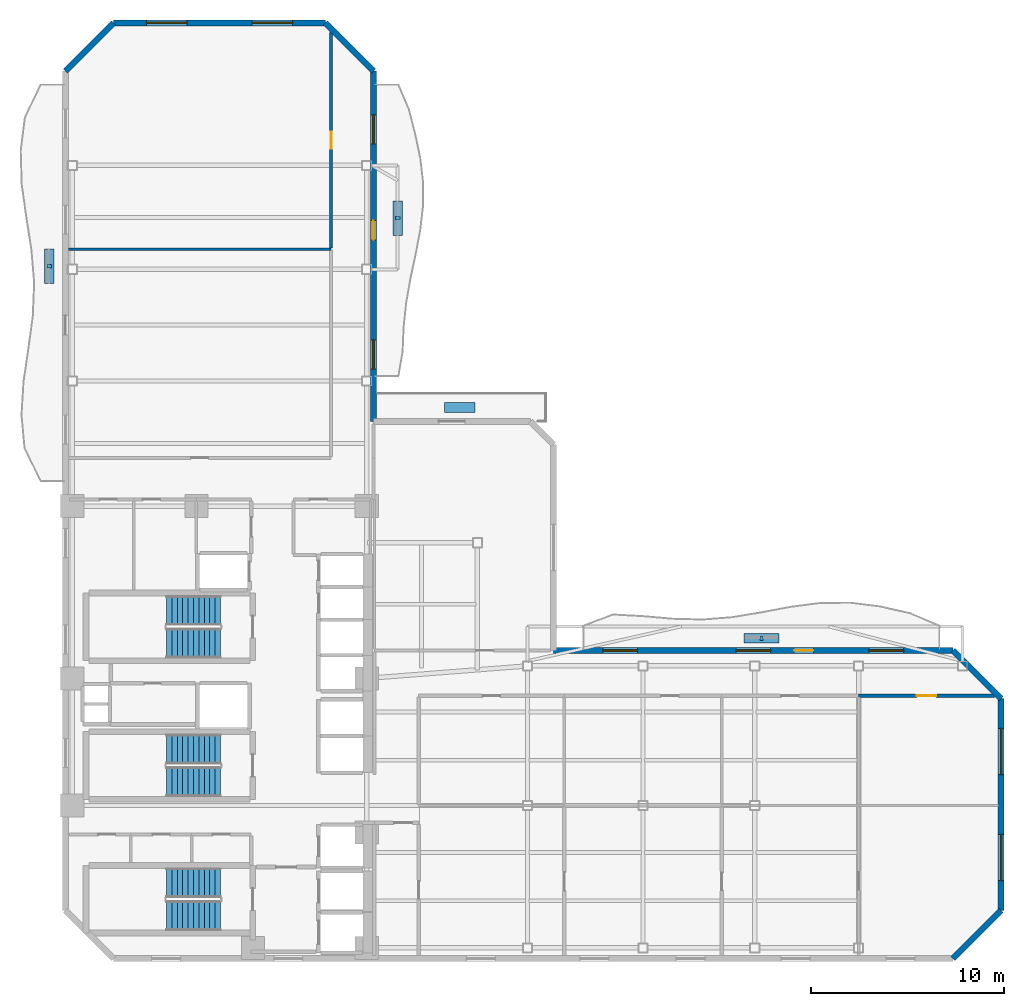
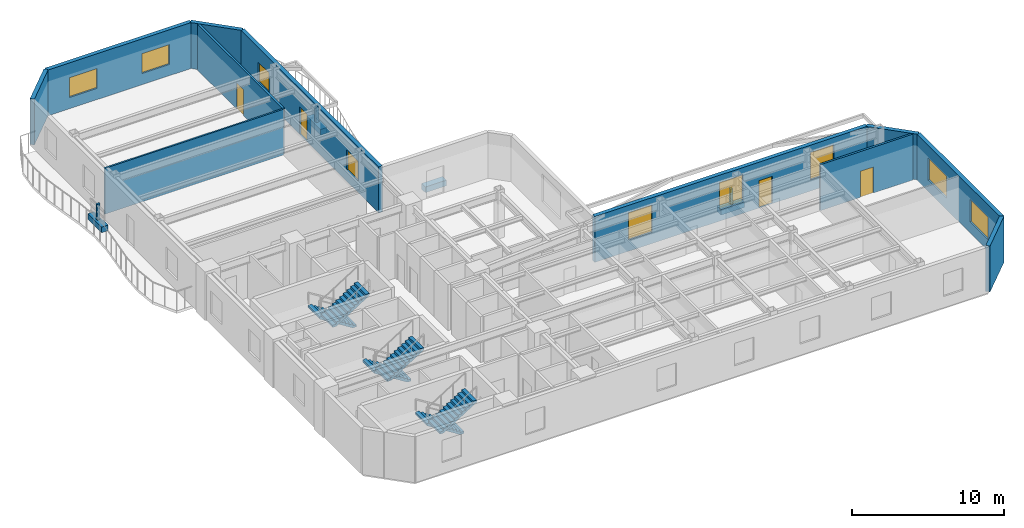
# One storey, part 6 of 10: 11 walls, 9 windows, 7 discrete accessories, 6 stair flights, 4 doors, 13 openings, 3 elements without a shape of their own.
"""IFC4 building model written with IfcOpenShell, lengths in metres."""

from ifc_helpers import new_model, si_unit, direction, frame, frame_2d, origin, origin_2d, place, context, subcontext, project, spatial, polyline, rectangle, outline, extrude, material, layer, layer_set, type_object, element, fill, aggregate, save


model = new_model("IFC4")

# Units and contexts
model_context = context("Model", 3, precision=1e-05, world=origin(), true_north=direction((0.0, 1.0)))
body_context = subcontext(model_context, "Body", "Model", "MODEL_VIEW")
ifc_project = project(units=[si_unit("LENGTHUNIT", "METRE"), si_unit("AREAUNIT", "SQUARE_METRE"), si_unit("VOLUMEUNIT", "CUBIC_METRE"), si_unit("PLANEANGLEUNIT", "RADIAN"), si_unit("MASSUNIT", "GRAM", prefix="KILO")], contexts=[model_context])

# Site, building, storey
site_placement = place(None, origin())
site = spatial("IfcSite", under=ifc_project, at=site_placement, CompositionType="ELEMENT")
building_placement = place(site_placement, origin())
building = spatial("IfcBuilding", under=site, at=building_placement, Name="Mawjaban Terraces University", CompositionType="ELEMENT")
storey_placement = place(building_placement, frame((0.0, 0.0, 122.89990234375)))
storey = spatial("IfcBuildingStorey", under=building, at=storey_placement, Name="L29", CompositionType="ELEMENT", Elevation=122.89990234375)

# Wall, opening, door
ifc_material_1 = material(Name="Fire-rated gypsum board on steel stud", Category="steel")
ifc_layer_1 = layer(ifc_material_1, 0.159912109375)
ifc_layer_set_1 = layer_set([ifc_layer_1], Name="Fire-rated gypsum board on steel stud")
wall_type_1 = type_object("IfcWallType", Name="CorridorPartition_160", PredefinedType="PARTITIONING", material=ifc_layer_set_1)
wall_1_placement = place(storey_placement, frame((63.199951171875, 13.64990234375, 0.0), z_axis=(0.0, 0.0, 1.0), x_axis=(1.0, 0.0, 0.0)))
wall_1 = element("IfcWall", 1, at=wall_1_placement, inside=storey, type_object=wall_type_1, Name="L29 Inner Terrace Gallery Corridor East Partition 24", PredefinedType="PARTITIONING", context=body_context, shape_type="SweptSolid", body=[
    extrude(rectangle(XDim=7.045166015625, YDim=0.159912109375, at=frame_2d((3.5224609375, 0.0))), origin(), (0.0, 0.0, 1.0), 3.690185546875),
])
opening_1_placement = place(wall_1_placement, frame((3.02294921875, 0.0, 0.0)))
opening_1 = element("IfcOpeningElement", 2, at=opening_1_placement, cuts=wall_1, Name="Opening ID-100", PredefinedType="OPENING", context=body_context, shape_type="SweptSolid", body=[
    extrude(rectangle(XDim=1.0, YDim=2.10009765625, at=frame_2d((0.5, 1.050048828125))), frame((0.0, 0.08984375, 0.0), z_axis=(0.0, -1.0, 0.0), x_axis=(1.0, 0.0, 0.0)), (0.0, 0.0, 1.0), 0.179931640625),
])
ifc_material_2 = material(Name="Powder-coated steel frame and solid acoustic timber leaf", Category="steel")
door_type_1 = type_object("IfcDoorType", Name="ClassroomDoor_1000x2100", OperationType="NOTDEFINED", PredefinedType="DOOR", material=ifc_material_2)
door_1_placement = place(opening_1_placement, origin())
door_1 = element("IfcDoor", 3, at=door_1_placement, inside=storey, type_object=door_type_1, Name="L29 Classroom 9 Door", OperationType="SINGLE_SWING_LEFT", OverallHeight=2.10009765625, OverallWidth=1.0, PredefinedType="DOOR", context=body_context, shape_type="SweptSolid", body=[
    extrude(rectangle(XDim=1.0, YDim=2.10009765625, at=frame_2d((0.5, 1.050048828125))), frame((0.0, 0.02490234375, 0.0), z_axis=(0.0, -1.0, 0.0), x_axis=(1.0, 0.0, 0.0)), (0.0, 0.0, 1.0), 0.050048828125),
])
fill(opening_1, door_1)

wall_2_placement = place(storey_placement, frame((35.800048828125, 48.094970703125, 0.0), z_axis=(0.0, 0.0, 1.0), x_axis=(0.0, -1.0, 0.0)))
wall_2 = element("IfcWall", 4, at=wall_2_placement, inside=storey, type_object=wall_type_1, Name="L29 Inner Terrace Gallery Corridor North Partition 35", PredefinedType="PARTITIONING", context=body_context, shape_type="SweptSolid", body=[
    extrude(rectangle(XDim=11.18798828125, YDim=0.159912109375, at=frame_2d((5.593994140625, 0.0))), origin(), (0.0, 0.0, 1.0), 3.690185546875),
])
opening_2_placement = place(wall_2_placement, frame((5.14404296875, 0.0, 0.0)))
opening_2 = element("IfcOpeningElement", 5, at=opening_2_placement, cuts=wall_2, Name="Opening ID-090", PredefinedType="OPENING", context=body_context, shape_type="SweptSolid", body=[
    extrude(rectangle(XDim=0.89990234375, YDim=2.10009765625, at=frame_2d((0.449951171875, 1.050048828125))), frame((0.0, 0.08984375, 0.0), z_axis=(0.0, -1.0, 0.0), x_axis=(1.0, 0.0, 0.0)), (0.0, 0.0, 1.0), 0.179931640625),
])
door_type_2 = type_object("IfcDoorType", Name="OfficeDoor_900x2100", OperationType="NOTDEFINED", PredefinedType="DOOR", material=ifc_material_2)
door_2_placement = place(opening_2_placement, origin())
door_2 = element("IfcDoor", 6, at=door_2_placement, inside=storey, type_object=door_type_2, Name="L29 Faculty Office 11 Door", OperationType="SINGLE_SWING_LEFT", OverallHeight=2.10009765625, OverallWidth=0.89990234375, PredefinedType="DOOR", context=body_context, shape_type="SweptSolid", body=[
    extrude(rectangle(XDim=0.89990234375, YDim=2.10009765625, at=frame_2d((0.449951171875, 1.050048828125))), frame((0.0, 0.02490234375, 0.0), z_axis=(0.0, -1.0, 0.0), x_axis=(1.0, 0.0, 0.0)), (0.0, 0.0, 1.0), 0.050048828125),
])
fill(opening_2, door_2)

# Wall
ifc_material_3 = material(Name="Insulated terracotta rainscreen on concrete backup C40/50", Category="masonry")
ifc_layer_2 = layer(ifc_material_3, 0.300048828125)
ifc_layer_set_2 = layer_set([ifc_layer_2], Name="Insulated terracotta rainscreen on concrete backup C40/50")
wall_type_2 = type_object("IfcWallType", Name="ExtTerracottaWall_300", PredefinedType="SOLIDWALL", material=ifc_layer_set_2)
wall_3_placement = place(storey_placement, frame((68.10009765625, 0.0, 0.0), z_axis=(0.0, 0.0, 1.0), x_axis=(0.707106781187, 0.707106781187, 0.0)))
element("IfcWall", 7, at=wall_3_placement, inside=storey, type_object=wall_type_2, Name="L29 Exterior Terracotta Wall 2", PredefinedType="SOLIDWALL", context=body_context, shape_type="SweptSolid", body=[
    extrude(rectangle(XDim=3.53564453125, YDim=0.300048828125, at=frame_2d((1.767822265625, 0.0))), origin(), (0.0, 0.0, 1.0), 3.690185546875),
])

# Wall, openings, windows
wall_4_placement = place(storey_placement, frame((70.60009765625, 2.5, 0.0), z_axis=(0.0, 0.0, 1.0), x_axis=(0.0, 1.0, 0.0)))
wall_4 = element("IfcWall", 8, at=wall_4_placement, inside=storey, type_object=wall_type_2, Name="L29 Exterior Terracotta Wall 3", PredefinedType="SOLIDWALL", context=body_context, shape_type="SweptSolid", body=[
    extrude(rectangle(XDim=11.0, YDim=0.300048828125, at=frame_2d((5.5, 0.0))), origin(), (0.0, 0.0, 1.0), 3.690185546875),
])
opening_3_placement = place(wall_4_placement, frame((1.550048828125, 0.0, 0.89990234375)))
opening_3 = element("IfcOpeningElement", 9, at=opening_3_placement, cuts=wall_4, Name="Opening W-08", PredefinedType="OPENING", context=body_context, shape_type="SweptSolid", body=[
    extrude(rectangle(XDim=2.39990234375, YDim=1.800048828125, at=frame_2d((1.199951171875, 0.89990234375))), frame((0.0, 0.159912109375, 0.0), z_axis=(0.0, -1.0, 0.0), x_axis=(1.0, 0.0, 0.0)), (0.0, 0.0, 1.0), 0.320068359375),
])
opening_4_placement = place(wall_4_placement, frame((7.050048828125, 0.0, 0.89990234375)))
opening_4 = element("IfcOpeningElement", 10, at=opening_4_placement, cuts=wall_4, Name="Opening W-08", PredefinedType="OPENING", context=body_context, shape_type="SweptSolid", body=[
    extrude(rectangle(XDim=2.39990234375, YDim=1.800048828125, at=frame_2d((1.199951171875, 0.89990234375))), frame((0.0, 0.159912109375, 0.0), z_axis=(0.0, -1.0, 0.0), x_axis=(1.0, 0.0, 0.0)), (0.0, 0.0, 1.0), 0.320068359375),
])
ifc_material_4 = material(Name="Low-E solar-control double glazing in thermally broken aluminium frame", Category="aluminium")
window_type_1 = type_object("IfcWindowType", Name="Win_2400x1800", PartitioningType="SINGLE_PANEL", PredefinedType="WINDOW", material=ifc_material_4)
window_1_placement = place(opening_3_placement, origin())
window_1 = element("IfcWindow", 11, at=window_1_placement, inside=storey, type_object=window_type_1, Name="L29 Facade Window 3.1", OverallHeight=1.800048828125, OverallWidth=2.39990234375, PartitioningType="SINGLE_PANEL", PredefinedType="WINDOW", context=body_context, shape_type="SweptSolid", body=[
    extrude(rectangle(XDim=2.39990234375, YDim=1.800048828125, at=frame_2d((1.199951171875, 0.89990234375))), frame((0.0, 0.030029296875, 0.0), z_axis=(0.0, -1.0, 0.0), x_axis=(1.0, 0.0, 0.0)), (0.0, 0.0, 1.0), 0.06005859375),
])
fill(opening_3, window_1)
window_2_placement = place(opening_4_placement, origin())
window_2 = element("IfcWindow", 12, at=window_2_placement, inside=storey, type_object=window_type_1, Name="L29 Facade Window 3.2", OverallHeight=1.800048828125, OverallWidth=2.39990234375, PartitioningType="SINGLE_PANEL", PredefinedType="WINDOW", context=body_context, shape_type="SweptSolid", body=[
    extrude(rectangle(XDim=2.39990234375, YDim=1.800048828125, at=frame_2d((1.199951171875, 0.89990234375))), frame((0.0, 0.030029296875, 0.0), z_axis=(0.0, -1.0, 0.0), x_axis=(1.0, 0.0, 0.0)), (0.0, 0.0, 1.0), 0.06005859375),
])
fill(opening_4, window_2)

# Wall
wall_5_placement = place(storey_placement, frame((70.60009765625, 13.5, 0.0), z_axis=(0.0, 0.0, 1.0), x_axis=(-0.707106781187, 0.707106781187, 0.0)))
element("IfcWall", 13, at=wall_5_placement, inside=storey, type_object=wall_type_2, Name="L29 Exterior Terracotta Wall 4", PredefinedType="SOLIDWALL", context=body_context, shape_type="SweptSolid", body=[
    extrude(rectangle(XDim=3.53564453125, YDim=0.300048828125, at=frame_2d((1.767822265625, 0.0))), origin(), (0.0, 0.0, 1.0), 3.690185546875),
])

# Wall, openings, door, windows
wall_6_placement = place(storey_placement, frame((68.10009765625, 16.0, 0.0), z_axis=(0.0, 0.0, 1.0), x_axis=(-1.0, 0.0, 0.0)))
wall_6 = element("IfcWall", 14, at=wall_6_placement, inside=storey, type_object=wall_type_2, Name="L29 Exterior Terracotta Wall 5", PredefinedType="SOLIDWALL", context=body_context, shape_type="SweptSolid", body=[
    extrude(rectangle(XDim=20.7490234375, YDim=0.300048828125, at=frame_2d((10.37451171875, 0.0))), origin(), (0.0, 0.0, 1.0), 3.690185546875),
])
opening_5_placement = place(wall_6_placement, frame((7.248046875, 0.0, 0.0)))
opening_5 = element("IfcOpeningElement", 15, at=opening_5_placement, cuts=wall_6, Name="Opening BD-100", PredefinedType="OPENING", context=body_context, shape_type="SweptSolid", body=[
    extrude(rectangle(XDim=1.0, YDim=2.199951171875, at=frame_2d((0.5, 1.10009765625))), frame((0.0, 0.159912109375, 0.0), z_axis=(0.0, -1.0, 0.0), x_axis=(1.0, 0.0, 0.0)), (0.0, 0.0, 1.0), 0.320068359375),
])
opening_6_placement = place(wall_6_placement, frame((2.55810546875, 0.0, 0.89990234375)))
opening_6 = element("IfcOpeningElement", 16, at=opening_6_placement, cuts=wall_6, Name="Opening W-10", PredefinedType="OPENING", context=body_context, shape_type="SweptSolid", body=[
    extrude(rectangle(XDim=1.800048828125, YDim=2.199951171875, at=frame_2d((0.89990234375, 1.10009765625))), frame((0.0, 0.159912109375, 0.0), z_axis=(0.0, -1.0, 0.0), x_axis=(1.0, 0.0, 0.0)), (0.0, 0.0, 1.0), 0.320068359375),
])
opening_7_placement = place(wall_6_placement, frame((9.47412109375, 0.0, 0.89990234375)))
opening_7 = element("IfcOpeningElement", 17, at=opening_7_placement, cuts=wall_6, Name="Opening W-10", PredefinedType="OPENING", context=body_context, shape_type="SweptSolid", body=[
    extrude(rectangle(XDim=1.800048828125, YDim=2.199951171875, at=frame_2d((0.89990234375, 1.10009765625))), frame((0.0, 0.159912109375, 0.0), z_axis=(0.0, -1.0, 0.0), x_axis=(1.0, 0.0, 0.0)), (0.0, 0.0, 1.0), 0.320068359375),
])
opening_8_placement = place(wall_6_placement, frame((16.39111328125, 0.0, 0.89990234375)))
opening_8 = element("IfcOpeningElement", 18, at=opening_8_placement, cuts=wall_6, Name="Opening W-10", PredefinedType="OPENING", context=body_context, shape_type="SweptSolid", body=[
    extrude(rectangle(XDim=1.800048828125, YDim=2.199951171875, at=frame_2d((0.89990234375, 1.10009765625))), frame((0.0, 0.159912109375, 0.0), z_axis=(0.0, -1.0, 0.0), x_axis=(1.0, 0.0, 0.0)), (0.0, 0.0, 1.0), 0.320068359375),
])
ifc_material_5 = material(Name="Thermally broken anodised aluminium and laminated safety glass", Category="aluminium")
door_type_3 = type_object("IfcDoorType", Name="BalconyGlazedDoor_1000x2200", OperationType="NOTDEFINED", PredefinedType="DOOR", material=ifc_material_5)
door_3_placement = place(opening_5_placement, origin())
door_3 = element("IfcDoor", 19, at=door_3_placement, inside=storey, type_object=door_type_3, Name="L29 Balcony Access Door inner_north", OperationType="SINGLE_SWING_RIGHT", OverallHeight=2.199951171875, OverallWidth=1.0, PredefinedType="DOOR", context=body_context, shape_type="SweptSolid", body=[
    extrude(rectangle(XDim=1.0, YDim=2.199951171875, at=frame_2d((0.5, 1.10009765625))), frame((0.0, 0.02490234375, 0.0), z_axis=(0.0, -1.0, 0.0), x_axis=(1.0, 0.0, 0.0)), (0.0, 0.0, 1.0), 0.050048828125),
])
fill(opening_5, door_3)
window_type_2 = type_object("IfcWindowType", Name="Win_1800x2200", PartitioningType="SINGLE_PANEL", PredefinedType="WINDOW", material=ifc_material_4)
window_3_placement = place(opening_6_placement, origin())
window_3 = element("IfcWindow", 20, at=window_3_placement, inside=storey, type_object=window_type_2, Name="L29 Facade Window 5.1", OverallHeight=2.199951171875, OverallWidth=1.800048828125, PartitioningType="SINGLE_PANEL", PredefinedType="WINDOW", context=body_context, shape_type="SweptSolid", body=[
    extrude(rectangle(XDim=1.800048828125, YDim=2.199951171875, at=frame_2d((0.89990234375, 1.10009765625))), frame((0.0, 0.030029296875, 0.0), z_axis=(0.0, -1.0, 0.0), x_axis=(1.0, 0.0, 0.0)), (0.0, 0.0, 1.0), 0.06005859375),
])
fill(opening_6, window_3)
window_4_placement = place(opening_7_placement, origin())
window_4 = element("IfcWindow", 21, at=window_4_placement, inside=storey, type_object=window_type_2, Name="L29 Facade Window 5.2", OverallHeight=2.199951171875, OverallWidth=1.800048828125, PartitioningType="SINGLE_PANEL", PredefinedType="WINDOW", context=body_context, shape_type="SweptSolid", body=[
    extrude(rectangle(XDim=1.800048828125, YDim=2.199951171875, at=frame_2d((0.89990234375, 1.10009765625))), frame((0.0, 0.030029296875, 0.0), z_axis=(0.0, -1.0, 0.0), x_axis=(1.0, 0.0, 0.0)), (0.0, 0.0, 1.0), 0.06005859375),
])
fill(opening_7, window_4)
window_5_placement = place(opening_8_placement, origin())
window_5 = element("IfcWindow", 22, at=window_5_placement, inside=storey, type_object=window_type_2, Name="L29 Facade Window 5.3", OverallHeight=2.199951171875, OverallWidth=1.800048828125, PartitioningType="SINGLE_PANEL", PredefinedType="WINDOW", context=body_context, shape_type="SweptSolid", body=[
    extrude(rectangle(XDim=1.800048828125, YDim=2.199951171875, at=frame_2d((0.89990234375, 1.10009765625))), frame((0.0, 0.030029296875, 0.0), z_axis=(0.0, -1.0, 0.0), x_axis=(1.0, 0.0, 0.0)), (0.0, 0.0, 1.0), 0.06005859375),
])
fill(opening_8, window_5)

wall_7_placement = place(storey_placement, frame((38.0, 27.89990234375, 0.0), z_axis=(0.0, 0.0, 1.0), x_axis=(0.0, 1.0, 0.0)))
wall_7 = element("IfcWall", 23, at=wall_7_placement, inside=storey, type_object=wall_type_2, Name="L29 Exterior Terracotta Wall 9", PredefinedType="SOLIDWALL", context=body_context, shape_type="SweptSolid", body=[
    extrude(rectangle(XDim=18.2001953125, YDim=0.300048828125, at=frame_2d((9.10009765625, 0.0))), origin(), (0.0, 0.0, 1.0), 3.690185546875),
])
opening_9_placement = place(wall_7_placement, frame((9.425048828125, 0.0, 0.0)))
opening_9 = element("IfcOpeningElement", 24, at=opening_9_placement, cuts=wall_7, Name="Opening BD-100", PredefinedType="OPENING", context=body_context, shape_type="SweptSolid", body=[
    extrude(rectangle(XDim=1.0, YDim=2.199951171875, at=frame_2d((0.5, 1.10009765625))), frame((0.0, 0.159912109375, 0.0), z_axis=(0.0, -1.0, 0.0), x_axis=(1.0, 0.0, 0.0)), (0.0, 0.0, 1.0), 0.320068359375),
])
opening_10_placement = place(wall_7_placement, frame((2.73291015625, 0.0, 0.89990234375)))
opening_10 = element("IfcOpeningElement", 25, at=opening_10_placement, cuts=wall_7, Name="Opening W-02", PredefinedType="OPENING", context=body_context, shape_type="SweptSolid", body=[
    extrude(rectangle(XDim=1.5, YDim=1.60009765625, at=frame_2d((0.75, 0.800048828125))), frame((0.0, 0.159912109375, 0.0), z_axis=(0.0, -1.0, 0.0), x_axis=(1.0, 0.0, 0.0)), (0.0, 0.0, 1.0), 0.320068359375),
])
opening_11_placement = place(wall_7_placement, frame((14.4169921875, 0.0, 0.89990234375)))
opening_11 = element("IfcOpeningElement", 26, at=opening_11_placement, cuts=wall_7, Name="Opening W-02", PredefinedType="OPENING", context=body_context, shape_type="SweptSolid", body=[
    extrude(rectangle(XDim=1.5, YDim=1.60009765625, at=frame_2d((0.75, 0.800048828125))), frame((0.0, 0.159912109375, 0.0), z_axis=(0.0, -1.0, 0.0), x_axis=(1.0, 0.0, 0.0)), (0.0, 0.0, 1.0), 0.320068359375),
])
door_4_placement = place(opening_9_placement, origin())
door_4 = element("IfcDoor", 27, at=door_4_placement, inside=storey, type_object=door_type_3, Name="L29 Balcony Access Door inner_east", OperationType="SINGLE_SWING_RIGHT", OverallHeight=2.199951171875, OverallWidth=1.0, PredefinedType="DOOR", context=body_context, shape_type="SweptSolid", body=[
    extrude(rectangle(XDim=1.0, YDim=2.199951171875, at=frame_2d((0.5, 1.10009765625))), frame((0.0, 0.02490234375, 0.0), z_axis=(0.0, -1.0, 0.0), x_axis=(1.0, 0.0, 0.0)), (0.0, 0.0, 1.0), 0.050048828125),
])
fill(opening_9, door_4)
window_type_3 = type_object("IfcWindowType", Name="Win_1500x1600", PartitioningType="SINGLE_PANEL", PredefinedType="WINDOW", material=ifc_material_4)
window_6_placement = place(opening_10_placement, origin())
window_6 = element("IfcWindow", 28, at=window_6_placement, inside=storey, type_object=window_type_3, Name="L29 Facade Window 9.1", OverallHeight=1.60009765625, OverallWidth=1.5, PartitioningType="SINGLE_PANEL", PredefinedType="WINDOW", context=body_context, shape_type="SweptSolid", body=[
    extrude(rectangle(XDim=1.5, YDim=1.60009765625, at=frame_2d((0.75, 0.800048828125))), frame((0.0, 0.030029296875, 0.0), z_axis=(0.0, -1.0, 0.0), x_axis=(1.0, 0.0, 0.0)), (0.0, 0.0, 1.0), 0.06005859375),
])
fill(opening_10, window_6)
window_7_placement = place(opening_11_placement, origin())
window_7 = element("IfcWindow", 29, at=window_7_placement, inside=storey, type_object=window_type_3, Name="L29 Facade Window 9.3", OverallHeight=1.60009765625, OverallWidth=1.5, PartitioningType="SINGLE_PANEL", PredefinedType="WINDOW", context=body_context, shape_type="SweptSolid", body=[
    extrude(rectangle(XDim=1.5, YDim=1.60009765625, at=frame_2d((0.75, 0.800048828125))), frame((0.0, 0.030029296875, 0.0), z_axis=(0.0, -1.0, 0.0), x_axis=(1.0, 0.0, 0.0)), (0.0, 0.0, 1.0), 0.06005859375),
])
fill(opening_11, window_7)

# Wall
wall_8_placement = place(storey_placement, frame((38.0, 46.10009765625, 0.0), z_axis=(0.0, 0.0, 1.0), x_axis=(-0.707106781187, 0.707106781187, 0.0)))
element("IfcWall", 30, at=wall_8_placement, inside=storey, type_object=wall_type_2, Name="L29 Exterior Terracotta Wall 10", PredefinedType="SOLIDWALL", context=body_context, shape_type="SweptSolid", body=[
    extrude(rectangle(XDim=3.53564453125, YDim=0.300048828125, at=frame_2d((1.767822265625, 0.0))), origin(), (0.0, 0.0, 1.0), 3.690185546875),
])

# Wall, openings, windows
wall_9_placement = place(storey_placement, frame((35.5, 48.60009765625, 0.0), z_axis=(0.0, 0.0, 1.0), x_axis=(-1.0, 0.0, 0.0)))
wall_9 = element("IfcWall", 31, at=wall_9_placement, inside=storey, type_object=wall_type_2, Name="L29 Exterior Terracotta Wall 11", PredefinedType="SOLIDWALL", context=body_context, shape_type="SweptSolid", body=[
    extrude(rectangle(XDim=11.0, YDim=0.300048828125, at=frame_2d((5.5, 0.0))), origin(), (0.0, 0.0, 1.0), 3.690185546875),
])
opening_12_placement = place(wall_9_placement, frame((1.699951171875, 0.0, 0.89990234375)))
opening_12 = element("IfcOpeningElement", 32, at=opening_12_placement, cuts=wall_9, Name="Opening W-04", PredefinedType="OPENING", context=body_context, shape_type="SweptSolid", body=[
    extrude(rectangle(XDim=2.10009765625, YDim=1.60009765625, at=frame_2d((1.050048828125, 0.800048828125))), frame((0.0, 0.159912109375, 0.0), z_axis=(0.0, -1.0, 0.0), x_axis=(1.0, 0.0, 0.0)), (0.0, 0.0, 1.0), 0.320068359375),
])
opening_13_placement = place(wall_9_placement, frame((7.199951171875, 0.0, 0.89990234375)))
opening_13 = element("IfcOpeningElement", 33, at=opening_13_placement, cuts=wall_9, Name="Opening W-04", PredefinedType="OPENING", context=body_context, shape_type="SweptSolid", body=[
    extrude(rectangle(XDim=2.10009765625, YDim=1.60009765625, at=frame_2d((1.050048828125, 0.800048828125))), frame((0.0, 0.159912109375, 0.0), z_axis=(0.0, -1.0, 0.0), x_axis=(1.0, 0.0, 0.0)), (0.0, 0.0, 1.0), 0.320068359375),
])
window_type_4 = type_object("IfcWindowType", Name="Win_2100x1600", PartitioningType="SINGLE_PANEL", PredefinedType="WINDOW", material=ifc_material_4)
window_8_placement = place(opening_12_placement, origin())
window_8 = element("IfcWindow", 34, at=window_8_placement, inside=storey, type_object=window_type_4, Name="L29 Facade Window 11.1", OverallHeight=1.60009765625, OverallWidth=2.10009765625, PartitioningType="SINGLE_PANEL", PredefinedType="WINDOW", context=body_context, shape_type="SweptSolid", body=[
    extrude(rectangle(XDim=2.10009765625, YDim=1.60009765625, at=frame_2d((1.050048828125, 0.800048828125))), frame((0.0, 0.030029296875, 0.0), z_axis=(0.0, -1.0, 0.0), x_axis=(1.0, 0.0, 0.0)), (0.0, 0.0, 1.0), 0.06005859375),
])
fill(opening_12, window_8)
window_9_placement = place(opening_13_placement, origin())
window_9 = element("IfcWindow", 35, at=window_9_placement, inside=storey, type_object=window_type_4, Name="L29 Facade Window 11.2", OverallHeight=1.60009765625, OverallWidth=2.10009765625, PartitioningType="SINGLE_PANEL", PredefinedType="WINDOW", context=body_context, shape_type="SweptSolid", body=[
    extrude(rectangle(XDim=2.10009765625, YDim=1.60009765625, at=frame_2d((1.050048828125, 0.800048828125))), frame((0.0, 0.030029296875, 0.0), z_axis=(0.0, -1.0, 0.0), x_axis=(1.0, 0.0, 0.0)), (0.0, 0.0, 1.0), 0.06005859375),
])
fill(opening_13, window_9)

# Walls
wall_10_placement = place(storey_placement, frame((24.5, 48.60009765625, 0.0), z_axis=(0.0, 0.0, 1.0), x_axis=(-0.707106781187, -0.707106781187, 0.0)))
element("IfcWall", 36, at=wall_10_placement, inside=storey, type_object=wall_type_2, Name="L29 Exterior Terracotta Wall 12", PredefinedType="SOLIDWALL", context=body_context, shape_type="SweptSolid", body=[
    extrude(rectangle(XDim=3.53564453125, YDim=0.300048828125, at=frame_2d((1.767822265625, 0.0))), origin(), (0.0, 0.0, 1.0), 3.690185546875),
])
ifc_material_6 = material(Name="Gypsum plasterboard on steel stud", Category="steel")
ifc_layer_3 = layer(ifc_material_6, 0.125)
ifc_layer_set_3 = layer_set([ifc_layer_3], Name="Gypsum plasterboard on steel stud")
wall_type_3 = type_object("IfcWallType", Name="OfficePartition_125", PredefinedType="PARTITIONING", material=ifc_layer_set_3)
wall_11_placement = place(storey_placement, frame((35.800048828125, 36.85009765625, 0.0), z_axis=(0.0, 0.0, 1.0), x_axis=(-1.0, 0.0, 0.0)))
element("IfcWall", 37, at=wall_11_placement, inside=storey, type_object=wall_type_3, Name="L29 Seminar Room 10 Partition 13", PredefinedType="PARTITIONING", context=body_context, shape_type="SweptSolid", body=[
    extrude(rectangle(XDim=13.655029296875, YDim=0.125, at=frame_2d((6.82763671875, 0.0))), origin(), (0.0, 0.0, 1.0), 3.690185546875),
])

# Stair, stair flights
ifc_material_7 = material(Name="Concrete C40/50", Category="concrete")
stair_type = type_object("IfcStairType", Name="Stair_Core1550_H39", PredefinedType="HALF_TURN_STAIR", material=ifc_material_7)
stair_1_placement = place(storey_placement, origin())
stair_1 = element("IfcStair", 38, at=stair_1_placement, inside=storey, type_object=stair_type, Name="L29 Core Exit Stair 1", PredefinedType="HALF_TURN_STAIR")
stair_flight_type = type_object("IfcStairFlightType", Name="Flight_Core1550_H39", PredefinedType="STRAIGHT", material=ifc_material_7)
stair_flight_1_placement = place(storey_placement, frame((30.050048828125, 3.925048828125, 0.0), z_axis=(0.0, 0.0, 1.0), x_axis=(-1.0, 0.0, 0.0)))
stair_flight_1 = element("IfcStairFlight", 39, at=stair_flight_1_placement, type_object=stair_flight_type, Name="ST-1 flight 1", NumberOfRisers=11, NumberOfTreads=10, PredefinedType="STRAIGHT", RiserHeight=0.177272727, TreadLength=0.28, context=body_context, shape_type="SweptSolid", body=[
    extrude(outline(polyline([(0.0, 0.0), (0.0, 0.17724609375), (0.280029296875, 0.17724609375), (0.280029296875, 0.3544921875), (0.56005859375, 0.3544921875), (0.56005859375, 0.53173828125), (0.840087890625, 0.53173828125), (0.840087890625, 0.708984375), (1.1201171875, 0.708984375), (1.1201171875, 0.886474609375), (1.39990234375, 0.886474609375), (1.39990234375, 1.063720703125), (1.679931640625, 1.063720703125), (1.679931640625, 1.240966796875), (1.9599609375, 1.240966796875), (1.9599609375, 1.418212890625), (2.239990234375, 1.418212890625), (2.239990234375, 1.595458984375), (2.52001953125, 1.595458984375), (2.52001953125, 1.772705078125), (2.800048828125, 1.772705078125), (2.800048828125, 1.949951171875), (2.800048828125, 1.59521484375), (0.2802734375, 0.0), (0.0, 0.0)])), frame((0.0, 0.77490234375, 0.0), z_axis=(0.0, -1.0, 0.0), x_axis=(1.0, 0.0, 0.0)), (0.0, 0.0, 1.0), 1.550048828125),
])
stair_flight_2_placement = place(storey_placement, frame((27.25, 2.22509765625, 1.9501953125), z_axis=(0.0, 0.0, 1.0), x_axis=(1.0, 0.0, 0.0)))
stair_flight_2 = element("IfcStairFlight", 40, at=stair_flight_2_placement, type_object=stair_flight_type, Name="ST-1 flight 2", NumberOfRisers=11, NumberOfTreads=10, PredefinedType="STRAIGHT", RiserHeight=0.177272727, TreadLength=0.28, context=body_context, shape_type="SweptSolid", body=[
    extrude(outline(polyline([(0.0, 0.0), (0.0, 0.17724609375), (0.280029296875, 0.17724609375), (0.280029296875, 0.3544921875), (0.56005859375, 0.3544921875), (0.56005859375, 0.53173828125), (0.840087890625, 0.53173828125), (0.840087890625, 0.708984375), (1.1201171875, 0.708984375), (1.1201171875, 0.886474609375), (1.39990234375, 0.886474609375), (1.39990234375, 1.063720703125), (1.679931640625, 1.063720703125), (1.679931640625, 1.240966796875), (1.9599609375, 1.240966796875), (1.9599609375, 1.418212890625), (2.239990234375, 1.418212890625), (2.239990234375, 1.595458984375), (2.52001953125, 1.595458984375), (2.52001953125, 1.772705078125), (2.800048828125, 1.772705078125), (2.800048828125, 1.949951171875), (2.800048828125, 1.59521484375), (0.2802734375, 0.0), (0.0, 0.0)])), frame((0.0, 0.77490234375, 0.0), z_axis=(0.0, -1.0, 0.0), x_axis=(1.0, 0.0, 0.0)), (0.0, 0.0, 1.0), 1.550048828125),
])
aggregate(stair_1, [stair_flight_1, stair_flight_2])

stair_2_placement = place(storey_placement, origin())
stair_2 = element("IfcStair", 41, at=stair_2_placement, inside=storey, type_object=stair_type, Name="L29 Core Exit Stair 2", PredefinedType="HALF_TURN_STAIR")
stair_flight_3_placement = place(storey_placement, frame((30.050048828125, 18.074951171875, 0.0), z_axis=(0.0, 0.0, 1.0), x_axis=(-1.0, 0.0, 0.0)))
stair_flight_3 = element("IfcStairFlight", 42, at=stair_flight_3_placement, type_object=stair_flight_type, Name="ST-2 flight 1", NumberOfRisers=11, NumberOfTreads=10, PredefinedType="STRAIGHT", RiserHeight=0.177272727, TreadLength=0.28, context=body_context, shape_type="SweptSolid", body=[
    extrude(outline(polyline([(0.0, 0.0), (0.0, 0.17724609375), (0.280029296875, 0.17724609375), (0.280029296875, 0.3544921875), (0.56005859375, 0.3544921875), (0.56005859375, 0.53173828125), (0.840087890625, 0.53173828125), (0.840087890625, 0.708984375), (1.1201171875, 0.708984375), (1.1201171875, 0.886474609375), (1.39990234375, 0.886474609375), (1.39990234375, 1.063720703125), (1.679931640625, 1.063720703125), (1.679931640625, 1.240966796875), (1.9599609375, 1.240966796875), (1.9599609375, 1.418212890625), (2.239990234375, 1.418212890625), (2.239990234375, 1.595458984375), (2.52001953125, 1.595458984375), (2.52001953125, 1.772705078125), (2.800048828125, 1.772705078125), (2.800048828125, 1.949951171875), (2.800048828125, 1.59521484375), (0.2802734375, 0.0), (0.0, 0.0)])), frame((0.0, 0.77490234375, 0.0), z_axis=(0.0, -1.0, 0.0), x_axis=(1.0, 0.0, 0.0)), (0.0, 0.0, 1.0), 1.550048828125),
])
stair_flight_4_placement = place(storey_placement, frame((27.25, 16.375, 1.9501953125), z_axis=(0.0, 0.0, 1.0), x_axis=(1.0, 0.0, 0.0)))
stair_flight_4 = element("IfcStairFlight", 43, at=stair_flight_4_placement, type_object=stair_flight_type, Name="ST-2 flight 2", NumberOfRisers=11, NumberOfTreads=10, PredefinedType="STRAIGHT", RiserHeight=0.177272727, TreadLength=0.28, context=body_context, shape_type="SweptSolid", body=[
    extrude(outline(polyline([(0.0, 0.0), (0.0, 0.17724609375), (0.280029296875, 0.17724609375), (0.280029296875, 0.3544921875), (0.56005859375, 0.3544921875), (0.56005859375, 0.53173828125), (0.840087890625, 0.53173828125), (0.840087890625, 0.708984375), (1.1201171875, 0.708984375), (1.1201171875, 0.886474609375), (1.39990234375, 0.886474609375), (1.39990234375, 1.063720703125), (1.679931640625, 1.063720703125), (1.679931640625, 1.240966796875), (1.9599609375, 1.240966796875), (1.9599609375, 1.418212890625), (2.239990234375, 1.418212890625), (2.239990234375, 1.595458984375), (2.52001953125, 1.595458984375), (2.52001953125, 1.772705078125), (2.800048828125, 1.772705078125), (2.800048828125, 1.949951171875), (2.800048828125, 1.59521484375), (0.2802734375, 0.0), (0.0, 0.0)])), frame((0.0, 0.77490234375, 0.0), z_axis=(0.0, -1.0, 0.0), x_axis=(1.0, 0.0, 0.0)), (0.0, 0.0, 1.0), 1.550048828125),
])
aggregate(stair_2, [stair_flight_3, stair_flight_4])

stair_3_placement = place(storey_placement, origin())
stair_3 = element("IfcStair", 44, at=stair_3_placement, inside=storey, type_object=stair_type, Name="L29 Core Exit Stair 3", PredefinedType="HALF_TURN_STAIR")
stair_flight_5_placement = place(storey_placement, frame((30.050048828125, 10.875, 0.0), z_axis=(0.0, 0.0, 1.0), x_axis=(-1.0, 0.0, 0.0)))
stair_flight_5 = element("IfcStairFlight", 45, at=stair_flight_5_placement, type_object=stair_flight_type, Name="ST-3 flight 1", NumberOfRisers=11, NumberOfTreads=10, PredefinedType="STRAIGHT", RiserHeight=0.177272727, TreadLength=0.28, context=body_context, shape_type="SweptSolid", body=[
    extrude(outline(polyline([(0.0, 0.0), (0.0, 0.17724609375), (0.280029296875, 0.17724609375), (0.280029296875, 0.3544921875), (0.56005859375, 0.3544921875), (0.56005859375, 0.53173828125), (0.840087890625, 0.53173828125), (0.840087890625, 0.708984375), (1.1201171875, 0.708984375), (1.1201171875, 0.886474609375), (1.39990234375, 0.886474609375), (1.39990234375, 1.063720703125), (1.679931640625, 1.063720703125), (1.679931640625, 1.240966796875), (1.9599609375, 1.240966796875), (1.9599609375, 1.418212890625), (2.239990234375, 1.418212890625), (2.239990234375, 1.595458984375), (2.52001953125, 1.595458984375), (2.52001953125, 1.772705078125), (2.800048828125, 1.772705078125), (2.800048828125, 1.949951171875), (2.800048828125, 1.59521484375), (0.2802734375, 0.0), (0.0, 0.0)])), frame((0.0, 0.77490234375, 0.0), z_axis=(0.0, -1.0, 0.0), x_axis=(1.0, 0.0, 0.0)), (0.0, 0.0, 1.0), 1.550048828125),
])
stair_flight_6_placement = place(storey_placement, frame((27.25, 9.175048828125, 1.9501953125), z_axis=(0.0, 0.0, 1.0), x_axis=(1.0, 0.0, 0.0)))
stair_flight_6 = element("IfcStairFlight", 46, at=stair_flight_6_placement, type_object=stair_flight_type, Name="ST-3 flight 2", NumberOfRisers=11, NumberOfTreads=10, PredefinedType="STRAIGHT", RiserHeight=0.177272727, TreadLength=0.28, context=body_context, shape_type="SweptSolid", body=[
    extrude(outline(polyline([(0.0, 0.0), (0.0, 0.17724609375), (0.280029296875, 0.17724609375), (0.280029296875, 0.3544921875), (0.56005859375, 0.3544921875), (0.56005859375, 0.53173828125), (0.840087890625, 0.53173828125), (0.840087890625, 0.708984375), (1.1201171875, 0.708984375), (1.1201171875, 0.886474609375), (1.39990234375, 0.886474609375), (1.39990234375, 1.063720703125), (1.679931640625, 1.063720703125), (1.679931640625, 1.240966796875), (1.9599609375, 1.240966796875), (1.9599609375, 1.418212890625), (2.239990234375, 1.418212890625), (2.239990234375, 1.595458984375), (2.52001953125, 1.595458984375), (2.52001953125, 1.772705078125), (2.800048828125, 1.772705078125), (2.800048828125, 1.949951171875), (2.800048828125, 1.59521484375), (0.2802734375, 0.0), (0.0, 0.0)])), frame((0.0, 0.77490234375, 0.0), z_axis=(0.0, -1.0, 0.0), x_axis=(1.0, 0.0, 0.0)), (0.0, 0.0, 1.0), 1.550048828125),
])
aggregate(stair_3, [stair_flight_5, stair_flight_6])

# Discrete accessories
ifc_material_8 = material(Name="Stainless steel 316L", Category="steel")
discrete_accessory_type_1 = type_object("IfcDiscreteAccessoryType", Name="FacadeScreenBracket_Steel", PredefinedType="BRACKET", material=ifc_material_8)
for number, where, z_axis, x_axis, name in (
    (47, (21.14892578125, 35.958984375, 0.419921875), (0.0, 0.0, 1.0), (0.0, 1.0, 0.0), "L29 Balcony Screen Support Bracket west"),
    (48, (58.152099609375, 16.64501953125, 0.419921875), (0.0, 0.0, 1.0), (1.0, 0.0, 0.0), "L29 Balcony Screen Support Bracket inner_north"),
    (49, (39.25, 38.4560546875, 0.419921875), (0.0, 0.0, 1.0), (0.0, 1.0, 0.0), "L29 Balcony Screen Support Bracket inner_east"),
):
    element("IfcDiscreteAccessory", number, at=place(storey_placement, frame(where, z_axis=z_axis, x_axis=x_axis)), inside=storey, type_object=discrete_accessory_type_1, Name=name, PredefinedType="BRACKET", context=body_context, shape_type="SweptSolid", body=[
        extrude(rectangle(XDim=0.159912109375, YDim=0.239990234375, at=origin_2d()), origin(), (0.0, 0.0, 1.0), 1.300048828125),
    ])
ifc_material_9 = material(Name="Precast architectural terracotta planter with engineered planting soil", Category="masonry")
discrete_accessory_type_2 = type_object("IfcDiscreteAccessoryType", Name="IrrigatedPlanterTrough_450", PredefinedType="USERDEFINED", material=ifc_material_9)
for number, where, z_axis, x_axis, name in (
    (50, (21.14892578125, 35.958984375, -0.0048828125), (0.0, 0.0, 1.0), (0.0, 1.0, 0.0), "L29 Balcony Irrigated Planter west"),
    (51, (58.152099609375, 16.64501953125, -0.0048828125), (0.0, 0.0, 1.0), (1.0, 0.0, 0.0), "L29 Balcony Irrigated Planter inner_north"),
    (52, (39.25, 38.4560546875, -0.0048828125), (0.0, 0.0, 1.0), (0.0, 1.0, 0.0), "L29 Balcony Irrigated Planter inner_east"),
):
    element("IfcDiscreteAccessory", number, at=place(storey_placement, frame(where, z_axis=z_axis, x_axis=x_axis)), inside=storey, type_object=discrete_accessory_type_2, Name=name, ObjectType="PLANTER", PredefinedType="USERDEFINED", context=body_context, shape_type="SweptSolid", body=[
        extrude(rectangle(XDim=1.800048828125, YDim=0.5, at=origin_2d()), origin(), (0.0, 0.0, 1.0), 0.449951171875),
    ])
discrete_accessory_placement = place(storey_placement, frame((42.47509765625, 28.625, -0.0048828125), z_axis=(0.0, 0.0, 1.0), x_axis=(1.0, 0.0, 0.0)))
element("IfcDiscreteAccessory", 53, at=discrete_accessory_placement, inside=storey, type_object=discrete_accessory_type_2, Name="L29 Terrace Planter TER-L29-CLIMB", ObjectType="PLANTER", PredefinedType="USERDEFINED", context=body_context, shape_type="SweptSolid", body=[
    extrude(rectangle(XDim=1.60009765625, YDim=0.5, at=origin_2d()), origin(), (0.0, 0.0, 1.0), 0.449951171875),
])

save(model, "model.ifc")
